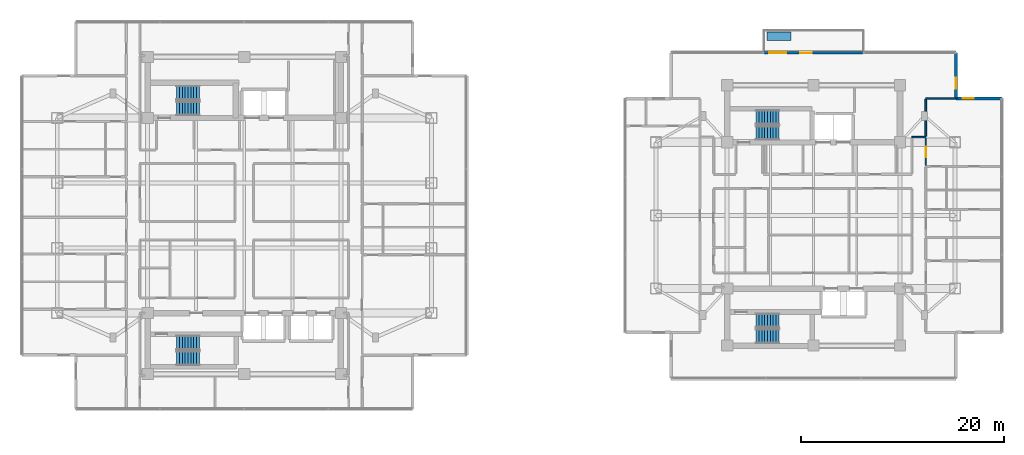
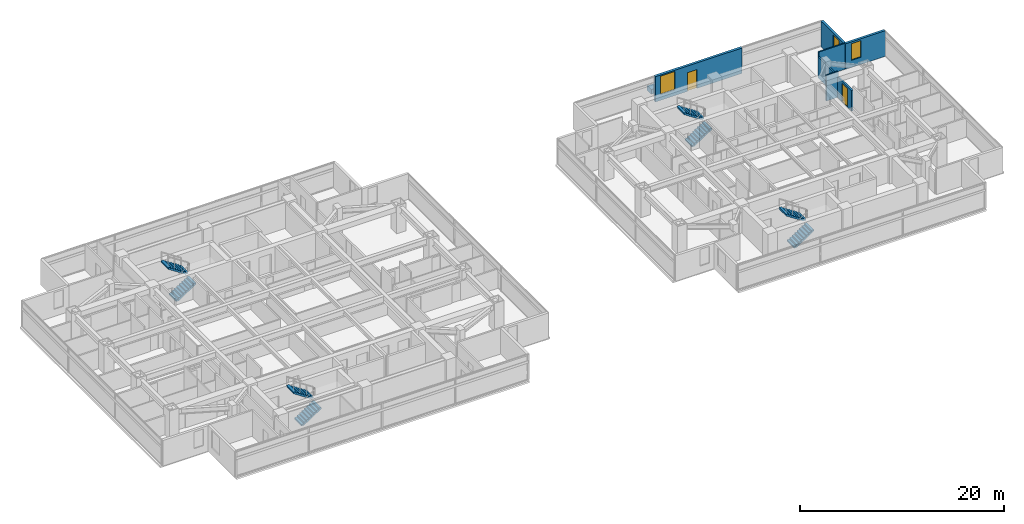
# One storey, part 19 of 24: 8 stair flights, 7 walls, 3 windows, 2 doors, 1 discrete accessory, 5 openings, 4 elements without a shape of their own.
"""IFC4 building model written with IfcOpenShell, lengths in metres."""

import ifcopenshell
import ifcopenshell.guid

model = None  # the IFC model being written
_history = None  # IfcOwnerHistory: only IFC2X3 demands one
_inside = {}  # id of a spatial element -> (the spatial element, [elements in it])
_under = {}  # id of a project, library or spatial element -> (it, [spatial elements below it])
_declared = {}  # id of a project -> (the project, [libraries it declares])
_typed = {}  # id of a type object -> (the type object, [elements of that type])
_made_of = {}  # id of a material, layer set ... -> (it, [elements and type objects made of it])


def new_model(schema):
    """Start an empty IFC model of exactly this schema.

    Asked for "IFC4X3", IfcOpenShell would pick the latest addendum, in which some entities
    have other attributes; the version numbers below select the first issue.
    IFC2X3 requires an IfcOwnerHistory on every rooted entity: one is made here for all.
    """
    global model, _history
    if schema == "IFC4X3":
        model = ifcopenshell.file(schema_version=(4, 3, 0, 0))
    else:
        model = ifcopenshell.file(schema=schema)
    _inside.clear()
    _under.clear()
    _declared.clear()
    _typed.clear()
    _made_of.clear()
    _history = None
    if model.schema == "IFC2X3":
        org = make("IfcOrganization", Name="unknown")
        user = make(
            "IfcPersonAndOrganization",
            ThePerson=make("IfcPerson", FamilyName="unknown"),
            TheOrganization=org,
        )
        app = make(
            "IfcApplication",
            ApplicationDeveloper=org,
            Version="unknown",
            ApplicationFullName="unknown",
            ApplicationIdentifier="unknown",
        )
        _history = make(
            "IfcOwnerHistory",
            OwningUser=user,
            OwningApplication=app,
            ChangeAction="ADDED",
            CreationDate=0,
        )
    return model


def make(cls, **values):
    """One entity of the class cls with the attributes given. An attribute that is None is left unset."""
    return model.create_entity(
        cls, **{name: value for name, value in values.items() if value is not None}
    )


def rooted(cls, **values):
    """An entity with a GlobalId (a new one), such as an element, a storey or a relation."""
    return make(cls, GlobalId=ifcopenshell.guid.new(), OwnerHistory=_history, **values)


def si_unit(unit_type, name, prefix=None):
    """IfcSIUnit, for example si_unit("LENGTHUNIT", "METRE", prefix="MILLI")."""
    return make("IfcSIUnit", UnitType=unit_type, Prefix=prefix, Name=name)


def assignment(units):
    """IfcUnitAssignment: the units of a project."""
    return None if units is None else make("IfcUnitAssignment", Units=units)


def point(xyz):
    """IfcCartesianPoint."""
    return None if xyz is None else make("IfcCartesianPoint", Coordinates=xyz)


def direction(xyz):
    """IfcDirection."""
    return None if xyz is None else make("IfcDirection", DirectionRatios=xyz)


def frame(location, z_axis=None, x_axis=None):
    """IfcAxis2Placement3D, a coordinate frame: its origin and axes. An axis left out is left unset."""
    return make(
        "IfcAxis2Placement3D",
        Location=point(location),
        Axis=direction(z_axis),
        RefDirection=direction(x_axis),
    )


def frame_2d(location, x_axis=None):
    """IfcAxis2Placement2D, a coordinate frame in the plane: its origin and x axis."""
    return make(
        "IfcAxis2Placement2D", Location=point(location), RefDirection=direction(x_axis)
    )


def origin():
    """The frame at (0, 0, 0) with its axes left unset."""
    return frame((0.0, 0.0, 0.0))


def origin_2d():
    """The frame at (0, 0) in the plane with its x axis left unset."""
    return frame_2d((0.0, 0.0))


def place(relative_to, where):
    """IfcLocalPlacement: puts the frame where relative to a parent placement (None: the world)."""
    return make(
        "IfcLocalPlacement", PlacementRelTo=relative_to, RelativePlacement=where
    )


def context(
    kind, dimensions, precision=None, world=None, true_north=None, identifier=None
):
    """IfcGeometricRepresentationContext, for example the 3D "Model" context."""
    return make(
        "IfcGeometricRepresentationContext",
        ContextIdentifier=identifier,
        ContextType=kind,
        CoordinateSpaceDimension=dimensions,
        Precision=precision,
        WorldCoordinateSystem=world,
        TrueNorth=true_north,
    )


def subcontext(parent, identifier, kind, view, scale=None):
    """IfcGeometricRepresentationSubContext, for example "Body" below "Model"."""
    return make(
        "IfcGeometricRepresentationSubContext",
        ContextIdentifier=identifier,
        ContextType=kind,
        ParentContext=parent,
        TargetScale=scale,
        TargetView=view,
    )


def project(units=None, contexts=None):
    """IfcProject with its units and contexts."""
    return rooted(
        "IfcProject",
        Name="project",
        RepresentationContexts=contexts,
        UnitsInContext=assignment(units),
    )


def spatial(cls, under=None, at=None, **own):
    """A site, building, storey or space (cls), placed at a placement, below another one or the project."""
    s = rooted(cls, ObjectPlacement=at, **own)
    if under is not None:
        _under.setdefault(under.id(), (under, []))[1].append(s)
    return s


def polyline(points):
    """IfcPolyline through the points."""
    return make("IfcPolyline", Points=[point(p) for p in points])


def profile(cls, at=None, kind="AREA", **sizes):
    """A parametric profile (cls). Its sizes go by their IFC names, for example OverallWidth=200.0."""
    return make(cls, ProfileType=kind, Position=at, **sizes)


def rectangle(**sizes):
    """IfcRectangleProfileDef."""
    return profile("IfcRectangleProfileDef", **sizes)


def outline(outer, holes=None, kind="AREA"):
    """IfcArbitraryClosedProfileDef: a profile drawn as a closed curve; with holes, ...WithVoids."""
    if holes is None:
        return make("IfcArbitraryClosedProfileDef", ProfileType=kind, OuterCurve=outer)
    return make(
        "IfcArbitraryProfileDefWithVoids",
        ProfileType=kind,
        OuterCurve=outer,
        InnerCurves=holes,
    )


def extrude(swept, where, along, depth):
    """IfcExtrudedAreaSolid: the profile swept, set in the frame where, extruded along a direction by depth."""
    return make(
        "IfcExtrudedAreaSolid",
        SweptArea=swept,
        Position=where,
        ExtrudedDirection=direction(along),
        Depth=depth,
    )


def shape(context_of_items, identifier, shape_type, items):
    """IfcShapeRepresentation: the items that make up one representation, for example the "Body"."""
    return make(
        "IfcShapeRepresentation",
        ContextOfItems=context_of_items,
        RepresentationIdentifier=identifier,
        RepresentationType=shape_type,
        Items=items,
    )


def material(Name=None, Category=None):
    """IfcMaterial."""
    return make("IfcMaterial", Name=Name, Category=Category)


def layer(
    of_material, thickness, ventilated=None, Name=None, Category=None, Priority=None
):
    """IfcMaterialLayer: one layer of a wall or slab, of a material (None: an air gap)."""
    return make(
        "IfcMaterialLayer",
        Material=of_material,
        LayerThickness=thickness,
        IsVentilated=ventilated,
        Name=Name,
        Category=Category,
        Priority=Priority,
    )


def layer_set(layers, Name=None):
    """IfcMaterialLayerSet."""
    return make("IfcMaterialLayerSet", MaterialLayers=layers, LayerSetName=Name)


def made_of(thing, what):
    """Note that an element or type object is made of a material, layer set ...; save() writes the relation."""
    if what is not None:
        _made_of.setdefault(what.id(), (what, []))[1].append(thing)
    return thing


def type_object(cls, material=None, **own):
    """A type object (cls), such as IfcWallType, which elements share."""
    return made_of(rooted(cls, **own), material)


def element(
    cls,
    number,
    at=None,
    inside=None,
    cuts=None,
    type_object=None,
    material=None,
    context=None,
    identifier="Body",
    shape_type=None,
    held_by="IfcProductDefinitionShape",
    body=None,
    shapes=None,
    **own,
):
    """One element of the class cls, such as IfcWall. Its Tag is "e" and its number.

    at: its placement. inside: the storey or other place that contains it. cuts: it is an
    opening in that element (IfcRelVoidsElement). A single representation is given by context,
    identifier, shape_type and body (its items); several are given by shapes. held_by: the class
    of the entity that holds the representations. save() writes the other relations.
    """
    e = rooted(cls, Tag="e%d" % number, ObjectPlacement=at, **own)
    if body is not None:
        shapes = [shape(context, identifier, shape_type, body)]
    if shapes is not None:
        e.Representation = make(held_by, Representations=shapes)
    if inside is not None:
        _inside.setdefault(inside.id(), (inside, []))[1].append(e)
    if cuts is not None:
        rooted(
            "IfcRelVoidsElement", RelatingBuildingElement=cuts, RelatedOpeningElement=e
        )
    if type_object is not None:
        _typed.setdefault(type_object.id(), (type_object, []))[1].append(e)
    return made_of(e, material)


def fill(opening, filler):
    """IfcRelFillsElement: the door or window that sits in an opening."""
    return rooted(
        "IfcRelFillsElement",
        RelatingOpeningElement=opening,
        RelatedBuildingElement=filler,
    )


def aggregate(whole, parts):
    """IfcRelAggregates: a whole, such as a stair, and the parts it consists of."""
    return rooted("IfcRelAggregates", RelatingObject=whole, RelatedObjects=parts)


def save(model, path):
    """Write the relations noted so far, then the file.

    IfcRelAggregates (storeys below a building ...), IfcRelContainedInSpatialStructure (elements
    in a storey), IfcRelDefinesByType, IfcRelAssociatesMaterial and IfcRelDeclares: one each for
    every whole, place, type object, material and project.
    """
    for whole, parts in _under.values():
        aggregate(whole, parts)
    for where, things in _inside.values():
        rooted(
            "IfcRelContainedInSpatialStructure",
            RelatedElements=things,
            RelatingStructure=where,
        )
    for kind, things in _typed.values():
        rooted("IfcRelDefinesByType", RelatedObjects=things, RelatingType=kind)
    for what, things in _made_of.values():
        rooted("IfcRelAssociatesMaterial", RelatedObjects=things, RelatingMaterial=what)
    for by, libraries in _declared.values():
        rooted("IfcRelDeclares", RelatingContext=by, RelatedDefinitions=libraries)
    model.write(path)


model = new_model("IFC4")

# Units and contexts
model_context = context("Model", 3, precision=1e-05, world=origin(), true_north=direction((0.0, 1.0)))
body_context = subcontext(model_context, "Body", "Model", "MODEL_VIEW")
ifc_project = project(units=[si_unit("LENGTHUNIT", "METRE"), si_unit("AREAUNIT", "SQUARE_METRE"), si_unit("VOLUMEUNIT", "CUBIC_METRE"), si_unit("PLANEANGLEUNIT", "RADIAN"), si_unit("MASSUNIT", "GRAM", prefix="KILO")], contexts=[model_context])

# Site, building, storey
site_placement = place(None, origin())
site = spatial("IfcSite", under=ifc_project, at=site_placement, CompositionType="ELEMENT")
building_placement = place(site_placement, origin())
building = spatial("IfcBuilding", under=site, at=building_placement, Name="Mirazonda Arch Towers", CompositionType="ELEMENT")
storey_placement = place(building_placement, frame((0.0, 0.0, 141.199951171875)))
storey = spatial("IfcBuildingStorey", under=building, at=storey_placement, Name="L40", CompositionType="ELEMENT", Elevation=141.199951171875)

# Wall, openings, door, window
ifc_material_1 = material(Name="Precast Concrete C40/50", Category="concrete")
ifc_layer_1 = layer(ifc_material_1, 0.280029296875, Name="WALL-EXT-WALL-280")
ifc_layer_set_1 = layer_set([ifc_layer_1], Name="Precast Concrete C40/50")
wall_type_1 = type_object("IfcWallType", Name="WALL-EXT-WALL-280", PredefinedType="SOLIDWALL", material=ifc_layer_set_1)
wall_1_placement = place(storey_placement, frame((71.60009765625, 44.002197265625, 0.0), z_axis=(0.0, 0.0, 1.0), x_axis=(1.0, 0.0, 0.0)))
wall_1 = element("IfcWall", 1, at=wall_1_placement, inside=storey, type_object=wall_type_1, Name="L40 T2 Sky-Terrace Threshold Wall WL-TERR-L40-T2", PredefinedType="SOLIDWALL", context=body_context, shape_type="SweptSolid", body=[
    extrude(rectangle(XDim=9.7998046875, YDim=0.280029296875, at=frame_2d((4.89990234375, 0.0))), origin(), (0.0, 0.0, 1.0), 3.0400390625),
])
opening_1_placement = place(wall_1_placement, frame((0.550048828125, 0.0, 0.68994140625)))
opening_1 = element("IfcOpeningElement", 2, at=opening_1_placement, cuts=wall_1, Name="Opening WN-115", PredefinedType="OPENING", context=body_context, shape_type="SweptSolid", body=[
    extrude(rectangle(XDim=1.64990234375, YDim=2.199951171875, at=frame_2d((0.824951171875, 1.10009765625))), frame((0.0, 0.14990234375, 0.0), z_axis=(0.0, -1.0, 0.0), x_axis=(1.0, 0.0, 0.0)), (0.0, 0.0, 1.0), 0.300048828125),
])
opening_2_placement = place(wall_1_placement, frame((3.60009765625, 0.0, 0.0)))
opening_2 = element("IfcOpeningElement", 3, at=opening_2_placement, cuts=wall_1, Name="Opening DR-114", PredefinedType="OPENING", context=body_context, shape_type="SweptSolid", body=[
    extrude(rectangle(XDim=1.10009765625, YDim=2.25, at=frame_2d((0.550048828125, 1.125))), frame((0.0, 0.14990234375, 0.0), z_axis=(0.0, -1.0, 0.0), x_axis=(1.0, 0.0, 0.0)), (0.0, 0.0, 1.0), 0.300048828125),
])
ifc_material_2 = material(Name="Architectural Hardwood Timber", Category="wood")
door_type_1 = type_object("IfcDoorType", Name="DOOR-TERR-EXT-1100", OperationType="NOTDEFINED", PredefinedType="DOOR", material=ifc_material_2)
door_1_placement = place(opening_2_placement, origin())
door_1 = element("IfcDoor", 4, at=door_1_placement, inside=storey, type_object=door_type_1, Name="L40 Exterior Door DR-TERR-L40-T2", OperationType="SINGLE_SWING_LEFT", OverallHeight=2.25, OverallWidth=1.10009765625, PredefinedType="DOOR", context=body_context, shape_type="SweptSolid", body=[
    extrude(rectangle(XDim=1.10009765625, YDim=2.25, at=frame_2d((0.550048828125, 1.125))), frame((0.0, 0.02490234375, 0.0), z_axis=(0.0, -1.0, 0.0), x_axis=(1.0, 0.0, 0.0)), (0.0, 0.0, 1.0), 0.050048828125),
])
fill(opening_2, door_1)
ifc_material_3 = material(Name="Insulated Low-E Solar Glass", Category="glass")
window_type_1 = type_object("IfcWindowType", Name="WIN-RES-1650x2200", PartitioningType="SINGLE_PANEL", PredefinedType="WINDOW", material=ifc_material_3)
window_1_placement = place(opening_1_placement, origin())
window_1 = element("IfcWindow", 5, at=window_1_placement, inside=storey, type_object=window_type_1, Name="L40 Punched Facade Window WN-TERR-L40-T2", OverallHeight=2.199951171875, OverallWidth=1.64990234375, PartitioningType="SINGLE_PANEL", PredefinedType="WINDOW", context=body_context, shape_type="SweptSolid", body=[
    extrude(rectangle(XDim=1.64990234375, YDim=2.199951171875, at=frame_2d((0.824951171875, 1.10009765625))), frame((0.0, 0.030029296875, 0.0), z_axis=(0.0, -1.0, 0.0), x_axis=(1.0, 0.0, 0.0)), (0.0, 0.0, 1.0), 0.06005859375),
])
fill(opening_1, window_1)

# Wall, opening, window
wall_2_placement = place(storey_placement, frame((90.5244140625, 39.515625, 0.0), z_axis=(0.0, 0.0, 1.0), x_axis=(0.0, 1.0, 0.0)))
wall_2 = element("IfcWall", 6, at=wall_2_placement, inside=storey, type_object=wall_type_1, Name="L40 T2 Notched NE Corner Wall WL-L40-T2-CNE", PredefinedType="SOLIDWALL", context=body_context, shape_type="SweptSolid", body=[
    extrude(rectangle(XDim=4.486572265625, YDim=0.280029296875, at=frame_2d((2.2431640625, 0.0))), origin(), (0.0, 0.0, 1.0), 3.06005859375),
])
opening_3_placement = place(wall_2_placement, frame((0.949951171875, 0.0, 0.85009765625)))
opening_3 = element("IfcOpeningElement", 7, at=opening_3_placement, cuts=wall_2, Name="Opening WN-108", PredefinedType="OPENING", context=body_context, shape_type="SweptSolid", body=[
    extrude(rectangle(XDim=1.10009765625, YDim=2.0, at=frame_2d((0.550048828125, 1.0))), frame((0.0, 0.14990234375, 0.0), z_axis=(0.0, -1.0, 0.0), x_axis=(1.0, 0.0, 0.0)), (0.0, 0.0, 1.0), 0.300048828125),
])
window_type_2 = type_object("IfcWindowType", Name="WIN-NOTCH-1100x2000", PartitioningType="SINGLE_PANEL", PredefinedType="WINDOW", material=ifc_material_3)
window_2_placement = place(opening_3_placement, origin())
window_2 = element("IfcWindow", 8, at=window_2_placement, inside=storey, type_object=window_type_2, Name="L40 Punched Facade Window WN-L40-T2-CNE", OverallHeight=2.0, OverallWidth=1.10009765625, PartitioningType="SINGLE_PANEL", PredefinedType="WINDOW", context=body_context, shape_type="SweptSolid", body=[
    extrude(rectangle(XDim=1.10009765625, YDim=2.0, at=frame_2d((0.550048828125, 1.0))), frame((0.0, 0.030029296875, 0.0), z_axis=(0.0, -1.0, 0.0), x_axis=(1.0, 0.0, 0.0)), (0.0, 0.0, 1.0), 0.06005859375),
])
fill(opening_3, window_2)

wall_3_placement = place(storey_placement, frame((95.010986328125, 39.515625, 0.0), z_axis=(0.0, 0.0, 1.0), x_axis=(-1.0, 0.0, 0.0)))
wall_3 = element("IfcWall", 9, at=wall_3_placement, inside=storey, type_object=wall_type_1, Name="L40 T2 Corner Notch Return Wall WL-L40-T2-CNE2", PredefinedType="SOLIDWALL", context=body_context, shape_type="SweptSolid", body=[
    extrude(rectangle(XDim=4.486572265625, YDim=0.280029296875, at=frame_2d((2.2431640625, 0.0))), origin(), (0.0, 0.0, 1.0), 3.06005859375),
])
opening_4_placement = place(wall_3_placement, frame((2.737060546875, 0.0, 0.85009765625)))
opening_4 = element("IfcOpeningElement", 10, at=opening_4_placement, cuts=wall_3, Name="Opening WN-108", PredefinedType="OPENING", context=body_context, shape_type="SweptSolid", body=[
    extrude(rectangle(XDim=1.10009765625, YDim=2.0, at=frame_2d((0.550048828125, 1.0))), frame((0.0, 0.14990234375, 0.0), z_axis=(0.0, -1.0, 0.0), x_axis=(1.0, 0.0, 0.0)), (0.0, 0.0, 1.0), 0.300048828125),
])
window_3_placement = place(opening_4_placement, origin())
window_3 = element("IfcWindow", 11, at=window_3_placement, inside=storey, type_object=window_type_2, Name="L40 Punched Facade Window WN-L40-T2-CNE2", OverallHeight=2.0, OverallWidth=1.10009765625, PartitioningType="SINGLE_PANEL", PredefinedType="WINDOW", context=body_context, shape_type="SweptSolid", body=[
    extrude(rectangle(XDim=1.10009765625, YDim=2.0, at=frame_2d((0.550048828125, 1.0))), frame((0.0, 0.030029296875, 0.0), z_axis=(0.0, -1.0, 0.0), x_axis=(1.0, 0.0, 0.0)), (0.0, 0.0, 1.0), 0.06005859375),
])
fill(opening_4, window_3)

# Walls
ifc_material_4 = material(Name="Fire-Rated Gypsum Stud Partition")
ifc_layer_2 = layer(ifc_material_4, 0.14990234375, Name="WALL-PART-CORR-150")
ifc_layer_set_2 = layer_set([ifc_layer_2], Name="Fire-Rated Gypsum Stud Partition")
wall_type_2 = type_object("IfcWallType", Name="WALL-PART-CORR-150", PredefinedType="PARTITIONING", material=ifc_layer_set_2)
wall_4_placement = place(storey_placement, frame((86.179931640625, 35.699951171875, 0.0), z_axis=(0.0, 0.0, 1.0), x_axis=(1.0, 0.0, 0.0)))
element("IfcWall", 12, at=wall_4_placement, inside=storey, type_object=wall_type_2, Name="L40 Interior Partition 051", PredefinedType="PARTITIONING", context=body_context, shape_type="SweptSolid", body=[
    extrude(rectangle(XDim=1.360107421875, YDim=0.14990234375, at=frame_2d((0.68017578125, 0.0))), origin(), (0.0, 0.0, 1.0), 3.080078125),
])
wall_5_placement = place(storey_placement, frame((87.5400390625, 39.51611328125, 0.0), z_axis=(0.0, 0.0, 1.0), x_axis=(1.0, 0.0, 0.0)))
element("IfcWall", 13, at=wall_5_placement, inside=storey, type_object=wall_type_2, Name="L40 Interior Partition 057", PredefinedType="PARTITIONING", context=body_context, shape_type="SweptSolid", body=[
    extrude(rectangle(XDim=2.96435546875, YDim=0.14990234375, at=frame_2d((1.482177734375, 0.0))), origin(), (0.0, 0.0, 1.0), 3.080078125),
])

# Wall, opening, door
ifc_material_5 = material(Name="Fire-Rated Gypsum Twin-Stud Assembly")
ifc_layer_3 = layer(ifc_material_5, 0.179931640625, Name="WALL-PART-DEMISE-180")
ifc_layer_set_3 = layer_set([ifc_layer_3], Name="Fire-Rated Gypsum Twin-Stud Assembly")
wall_type_3 = type_object("IfcWallType", Name="WALL-PART-DEMISE-180", PredefinedType="PARTITIONING", material=ifc_layer_set_3)
wall_6_placement = place(storey_placement, frame((87.5400390625, 32.89306640625, 0.0), z_axis=(0.0, 0.0, 1.0), x_axis=(0.0, 1.0, 0.0)))
wall_6 = element("IfcWall", 14, at=wall_6_placement, inside=storey, type_object=wall_type_3, Name="L40 Interior Partition 157", PredefinedType="PARTITIONING", context=body_context, shape_type="SweptSolid", body=[
    extrude(rectangle(XDim=2.721923828125, YDim=0.179931640625, at=frame_2d((1.36083984375, 0.0))), origin(), (0.0, 0.0, 1.0), 2.47216796875),
])
opening_5_placement = place(wall_6_placement, frame((0.8359375, 0.0, 0.0)))
opening_5 = element("IfcOpeningElement", 15, at=opening_5_placement, cuts=wall_6, Name="Opening DR-121", PredefinedType="OPENING", context=body_context, shape_type="SweptSolid", body=[
    extrude(rectangle(XDim=1.050048828125, YDim=2.199951171875, at=frame_2d((0.52490234375, 1.10009765625))), frame((0.0, 0.099853515625, 0.0), z_axis=(0.0, -1.0, 0.0), x_axis=(1.0, 0.0, 0.0)), (0.0, 0.0, 1.0), 0.199951171875),
])
ifc_material_6 = material(Name="Architectural Brushed Steel S355", Category="steel")
door_type_2 = type_object("IfcDoorType", Name="DOOR-SUITE-FD60-1050", OperationType="NOTDEFINED", PredefinedType="DOOR", material=ifc_material_6)
door_2_placement = place(opening_5_placement, origin())
door_2 = element("IfcDoor", 16, at=door_2_placement, inside=storey, type_object=door_type_2, Name="L40 King Hotel Guestroom 3 Door", OperationType="SINGLE_SWING_RIGHT", OverallHeight=2.199951171875, OverallWidth=1.050048828125, PredefinedType="DOOR", context=body_context, shape_type="SweptSolid", body=[
    extrude(rectangle(XDim=1.050048828125, YDim=2.199951171875, at=frame_2d((0.52490234375, 1.10009765625))), frame((0.0, 0.02490234375, 0.0), z_axis=(0.0, -1.0, 0.0), x_axis=(1.0, 0.0, 0.0)), (0.0, 0.0, 1.0), 0.050048828125),
])
fill(opening_5, door_2)

# Wall
wall_7_placement = place(storey_placement, frame((87.5400390625, 35.784912109375, 0.0), z_axis=(0.0, 0.0, 1.0), x_axis=(0.0, 1.0, 0.0)))
element("IfcWall", 17, at=wall_7_placement, inside=storey, type_object=wall_type_3, Name="L40 Interior Partition 158", PredefinedType="PARTITIONING", context=body_context, shape_type="SweptSolid", body=[
    extrude(rectangle(XDim=3.64599609375, YDim=0.179931640625, at=frame_2d((1.822998046875, 0.0))), origin(), (0.0, 0.0, 1.0), 2.52294921875),
])

# Stair, stair flights
ifc_material_7 = material(Name="Concrete C40/50", Category="concrete")
stair_type = type_object("IfcStairType", Name="STAIR-CORE-1400", PredefinedType="HALF_TURN_STAIR", material=ifc_material_7)
stair_1_placement = place(storey_placement, origin())
stair_1 = element("IfcStair", 18, at=stair_1_placement, inside=storey, type_object=stair_type, Name="L40 Protected Exit Stair ST-T1N", PredefinedType="HALF_TURN_STAIR")
stair_flight_type = type_object("IfcStairFlightType", Name="FLIGHT-1400", PredefinedType="STRAIGHT", material=ifc_material_7)
stair_flight_1_placement = place(storey_placement, frame((13.85009765625, 38.52001953125, 0.0), z_axis=(0.0, 0.0, 1.0), x_axis=(1.0, 0.0, 0.0)))
stair_flight_1 = element("IfcStairFlight", 19, at=stair_flight_1_placement, type_object=stair_flight_type, Name="ST-T1N flight 1", NumberOfRisers=9, NumberOfTreads=8, PredefinedType="STRAIGHT", RiserHeight=0.183333333, TreadLength=0.28, context=body_context, shape_type="SweptSolid", body=[
    extrude(outline(polyline([(0.0, 0.0), (0.0, 0.183349609375), (0.280029296875, 0.183349609375), (0.280029296875, 0.36669921875), (0.56005859375, 0.36669921875), (0.56005859375, 0.550048828125), (0.840087890625, 0.550048828125), (0.840087890625, 0.7333984375), (1.1201171875, 0.7333984375), (1.1201171875, 0.916748046875), (1.39990234375, 0.916748046875), (1.39990234375, 1.10009765625), (1.679931640625, 1.10009765625), (1.679931640625, 1.283447265625), (1.9599609375, 1.283447265625), (1.9599609375, 1.466552734375), (2.239990234375, 1.466552734375), (2.239990234375, 1.64990234375), (2.239990234375, 1.275634765625), (0.2919921875, 0.0), (0.0, 0.0)])), frame((0.0, 0.699951171875, 0.0), z_axis=(0.0, -1.0, 0.0), x_axis=(1.0, 0.0, 0.0)), (0.0, 0.0, 1.0), 1.39990234375),
])
stair_flight_2_placement = place(storey_placement, frame((16.090087890625, 40.06005859375, 1.650146484375), z_axis=(0.0, 0.0, 1.0), x_axis=(-1.0, 0.0, 0.0)))
stair_flight_2 = element("IfcStairFlight", 20, at=stair_flight_2_placement, type_object=stair_flight_type, Name="ST-T1N flight 2", NumberOfRisers=9, NumberOfTreads=8, PredefinedType="STRAIGHT", RiserHeight=0.183333333, TreadLength=0.28, context=body_context, shape_type="SweptSolid", body=[
    extrude(outline(polyline([(0.0, 0.0), (0.0, 0.183349609375), (0.280029296875, 0.183349609375), (0.280029296875, 0.36669921875), (0.56005859375, 0.36669921875), (0.56005859375, 0.550048828125), (0.840087890625, 0.550048828125), (0.840087890625, 0.7333984375), (1.1201171875, 0.7333984375), (1.1201171875, 0.916748046875), (1.39990234375, 0.916748046875), (1.39990234375, 1.10009765625), (1.679931640625, 1.10009765625), (1.679931640625, 1.283447265625), (1.9599609375, 1.283447265625), (1.9599609375, 1.466552734375), (2.239990234375, 1.466552734375), (2.239990234375, 1.64990234375), (2.239990234375, 1.275634765625), (0.2919921875, 0.0), (0.0, 0.0)])), frame((0.0, 0.699951171875, 0.0), z_axis=(0.0, -1.0, 0.0), x_axis=(1.0, 0.0, 0.0)), (0.0, 0.0, 1.0), 1.39990234375),
])
aggregate(stair_1, [stair_flight_1, stair_flight_2])

stair_2_placement = place(storey_placement, origin())
stair_2 = element("IfcStair", 21, at=stair_2_placement, inside=storey, type_object=stair_type, Name="L40 Protected Exit Stair ST-T1S", PredefinedType="HALF_TURN_STAIR")
stair_flight_3_placement = place(storey_placement, frame((13.85009765625, 13.949951171875, 0.0), z_axis=(0.0, 0.0, 1.0), x_axis=(1.0, 0.0, 0.0)))
stair_flight_3 = element("IfcStairFlight", 22, at=stair_flight_3_placement, type_object=stair_flight_type, Name="ST-T1S flight 1", NumberOfRisers=9, NumberOfTreads=8, PredefinedType="STRAIGHT", RiserHeight=0.183333333, TreadLength=0.28, context=body_context, shape_type="SweptSolid", body=[
    extrude(outline(polyline([(0.0, 0.0), (0.0, 0.183349609375), (0.280029296875, 0.183349609375), (0.280029296875, 0.36669921875), (0.56005859375, 0.36669921875), (0.56005859375, 0.550048828125), (0.840087890625, 0.550048828125), (0.840087890625, 0.7333984375), (1.1201171875, 0.7333984375), (1.1201171875, 0.916748046875), (1.39990234375, 0.916748046875), (1.39990234375, 1.10009765625), (1.679931640625, 1.10009765625), (1.679931640625, 1.283447265625), (1.9599609375, 1.283447265625), (1.9599609375, 1.466552734375), (2.239990234375, 1.466552734375), (2.239990234375, 1.64990234375), (2.239990234375, 1.275634765625), (0.2919921875, 0.0), (0.0, 0.0)])), frame((0.0, 0.699951171875, 0.0), z_axis=(0.0, -1.0, 0.0), x_axis=(1.0, 0.0, 0.0)), (0.0, 0.0, 1.0), 1.39990234375),
])
stair_flight_4_placement = place(storey_placement, frame((16.090087890625, 15.489990234375, 1.650146484375), z_axis=(0.0, 0.0, 1.0), x_axis=(-1.0, 0.0, 0.0)))
stair_flight_4 = element("IfcStairFlight", 23, at=stair_flight_4_placement, type_object=stair_flight_type, Name="ST-T1S flight 2", NumberOfRisers=9, NumberOfTreads=8, PredefinedType="STRAIGHT", RiserHeight=0.183333333, TreadLength=0.28, context=body_context, shape_type="SweptSolid", body=[
    extrude(outline(polyline([(0.0, 0.0), (0.0, 0.183349609375), (0.280029296875, 0.183349609375), (0.280029296875, 0.36669921875), (0.56005859375, 0.36669921875), (0.56005859375, 0.550048828125), (0.840087890625, 0.550048828125), (0.840087890625, 0.7333984375), (1.1201171875, 0.7333984375), (1.1201171875, 0.916748046875), (1.39990234375, 0.916748046875), (1.39990234375, 1.10009765625), (1.679931640625, 1.10009765625), (1.679931640625, 1.283447265625), (1.9599609375, 1.283447265625), (1.9599609375, 1.466552734375), (2.239990234375, 1.466552734375), (2.239990234375, 1.64990234375), (2.239990234375, 1.275634765625), (0.2919921875, 0.0), (0.0, 0.0)])), frame((0.0, 0.699951171875, 0.0), z_axis=(0.0, -1.0, 0.0), x_axis=(1.0, 0.0, 0.0)), (0.0, 0.0, 1.0), 1.39990234375),
])
aggregate(stair_2, [stair_flight_3, stair_flight_4])

stair_3_placement = place(storey_placement, origin())
stair_3 = element("IfcStair", 24, at=stair_3_placement, inside=storey, type_object=stair_type, Name="L40 Protected Exit Stair ST-T2N", PredefinedType="HALF_TURN_STAIR")
stair_flight_5_placement = place(storey_placement, frame((70.85009765625, 36.1201171875, 0.0), z_axis=(0.0, 0.0, 1.0), x_axis=(1.0, 0.0, 0.0)))
stair_flight_5 = element("IfcStairFlight", 25, at=stair_flight_5_placement, type_object=stair_flight_type, Name="ST-T2N flight 1", NumberOfRisers=9, NumberOfTreads=8, PredefinedType="STRAIGHT", RiserHeight=0.183333333, TreadLength=0.28, context=body_context, shape_type="SweptSolid", body=[
    extrude(outline(polyline([(0.0, 0.0), (0.0, 0.183349609375), (0.280029296875, 0.183349609375), (0.280029296875, 0.36669921875), (0.56005859375, 0.36669921875), (0.56005859375, 0.550048828125), (0.840087890625, 0.550048828125), (0.840087890625, 0.7333984375), (1.1201171875, 0.7333984375), (1.1201171875, 0.916748046875), (1.39990234375, 0.916748046875), (1.39990234375, 1.10009765625), (1.679931640625, 1.10009765625), (1.679931640625, 1.283447265625), (1.9599609375, 1.283447265625), (1.9599609375, 1.466552734375), (2.239990234375, 1.466552734375), (2.239990234375, 1.64990234375), (2.239990234375, 1.275634765625), (0.2919921875, 0.0), (0.0, 0.0)])), frame((0.0, 0.699951171875, 0.0), z_axis=(0.0, -1.0, 0.0), x_axis=(1.0, 0.0, 0.0)), (0.0, 0.0, 1.0), 1.39990234375),
])
stair_flight_6_placement = place(storey_placement, frame((73.090087890625, 37.659912109375, 1.650146484375), z_axis=(0.0, 0.0, 1.0), x_axis=(-1.0, 0.0, 0.0)))
stair_flight_6 = element("IfcStairFlight", 26, at=stair_flight_6_placement, type_object=stair_flight_type, Name="ST-T2N flight 2", NumberOfRisers=9, NumberOfTreads=8, PredefinedType="STRAIGHT", RiserHeight=0.183333333, TreadLength=0.28, context=body_context, shape_type="SweptSolid", body=[
    extrude(outline(polyline([(0.0, 0.0), (0.0, 0.183349609375), (0.280029296875, 0.183349609375), (0.280029296875, 0.36669921875), (0.56005859375, 0.36669921875), (0.56005859375, 0.550048828125), (0.840087890625, 0.550048828125), (0.840087890625, 0.7333984375), (1.1201171875, 0.7333984375), (1.1201171875, 0.916748046875), (1.39990234375, 0.916748046875), (1.39990234375, 1.10009765625), (1.679931640625, 1.10009765625), (1.679931640625, 1.283447265625), (1.9599609375, 1.283447265625), (1.9599609375, 1.466552734375), (2.239990234375, 1.466552734375), (2.239990234375, 1.64990234375), (2.239990234375, 1.275634765625), (0.2919921875, 0.0), (0.0, 0.0)])), frame((0.0, 0.699951171875, 0.0), z_axis=(0.0, -1.0, 0.0), x_axis=(1.0, 0.0, 0.0)), (0.0, 0.0, 1.0), 1.39990234375),
])
aggregate(stair_3, [stair_flight_5, stair_flight_6])

stair_4_placement = place(storey_placement, origin())
stair_4 = element("IfcStair", 27, at=stair_4_placement, inside=storey, type_object=stair_type, Name="L40 Protected Exit Stair ST-T2S", PredefinedType="HALF_TURN_STAIR")
stair_flight_7_placement = place(storey_placement, frame((70.85009765625, 16.1201171875, 0.0), z_axis=(0.0, 0.0, 1.0), x_axis=(1.0, 0.0, 0.0)))
stair_flight_7 = element("IfcStairFlight", 28, at=stair_flight_7_placement, type_object=stair_flight_type, Name="ST-T2S flight 1", NumberOfRisers=9, NumberOfTreads=8, PredefinedType="STRAIGHT", RiserHeight=0.183333333, TreadLength=0.28, context=body_context, shape_type="SweptSolid", body=[
    extrude(outline(polyline([(0.0, 0.0), (0.0, 0.183349609375), (0.280029296875, 0.183349609375), (0.280029296875, 0.36669921875), (0.56005859375, 0.36669921875), (0.56005859375, 0.550048828125), (0.840087890625, 0.550048828125), (0.840087890625, 0.7333984375), (1.1201171875, 0.7333984375), (1.1201171875, 0.916748046875), (1.39990234375, 0.916748046875), (1.39990234375, 1.10009765625), (1.679931640625, 1.10009765625), (1.679931640625, 1.283447265625), (1.9599609375, 1.283447265625), (1.9599609375, 1.466552734375), (2.239990234375, 1.466552734375), (2.239990234375, 1.64990234375), (2.239990234375, 1.275634765625), (0.2919921875, 0.0), (0.0, 0.0)])), frame((0.0, 0.699951171875, 0.0), z_axis=(0.0, -1.0, 0.0), x_axis=(1.0, 0.0, 0.0)), (0.0, 0.0, 1.0), 1.39990234375),
])
stair_flight_8_placement = place(storey_placement, frame((73.090087890625, 17.659912109375, 1.650146484375), z_axis=(0.0, 0.0, 1.0), x_axis=(-1.0, 0.0, 0.0)))
stair_flight_8 = element("IfcStairFlight", 29, at=stair_flight_8_placement, type_object=stair_flight_type, Name="ST-T2S flight 2", NumberOfRisers=9, NumberOfTreads=8, PredefinedType="STRAIGHT", RiserHeight=0.183333333, TreadLength=0.28, context=body_context, shape_type="SweptSolid", body=[
    extrude(outline(polyline([(0.0, 0.0), (0.0, 0.183349609375), (0.280029296875, 0.183349609375), (0.280029296875, 0.36669921875), (0.56005859375, 0.36669921875), (0.56005859375, 0.550048828125), (0.840087890625, 0.550048828125), (0.840087890625, 0.7333984375), (1.1201171875, 0.7333984375), (1.1201171875, 0.916748046875), (1.39990234375, 0.916748046875), (1.39990234375, 1.10009765625), (1.679931640625, 1.10009765625), (1.679931640625, 1.283447265625), (1.9599609375, 1.283447265625), (1.9599609375, 1.466552734375), (2.239990234375, 1.466552734375), (2.239990234375, 1.64990234375), (2.239990234375, 1.275634765625), (0.2919921875, 0.0), (0.0, 0.0)])), frame((0.0, 0.699951171875, 0.0), z_axis=(0.0, -1.0, 0.0), x_axis=(1.0, 0.0, 0.0)), (0.0, 0.0, 1.0), 1.39990234375),
])
aggregate(stair_4, [stair_flight_7, stair_flight_8])

# Discrete accessory
ifc_material_8 = material(Name="Kiln-Fired Architectural Terracotta", Category="masonry")
discrete_accessory_type = type_object("IfcDiscreteAccessoryType", Name="PLANTER-TERRA", PredefinedType="USERDEFINED", material=ifc_material_8)
discrete_accessory_placement = place(storey_placement, frame((73.10009765625, 45.6220703125, 0.0), z_axis=(0.0, 0.0, 1.0), x_axis=(1.0, 0.0, 0.0)))
element("IfcDiscreteAccessory", 30, at=discrete_accessory_placement, inside=storey, type_object=discrete_accessory_type, Name="L40 T2 Sky-Terrace Planter", ObjectType="PLANTER", PredefinedType="USERDEFINED", context=body_context, shape_type="SweptSolid", body=[
    extrude(rectangle(XDim=2.39990234375, YDim=0.800048828125, at=origin_2d()), origin(), (0.0, 0.0, 1.0), 0.550048828125),
])

save(model, "model.ifc")
